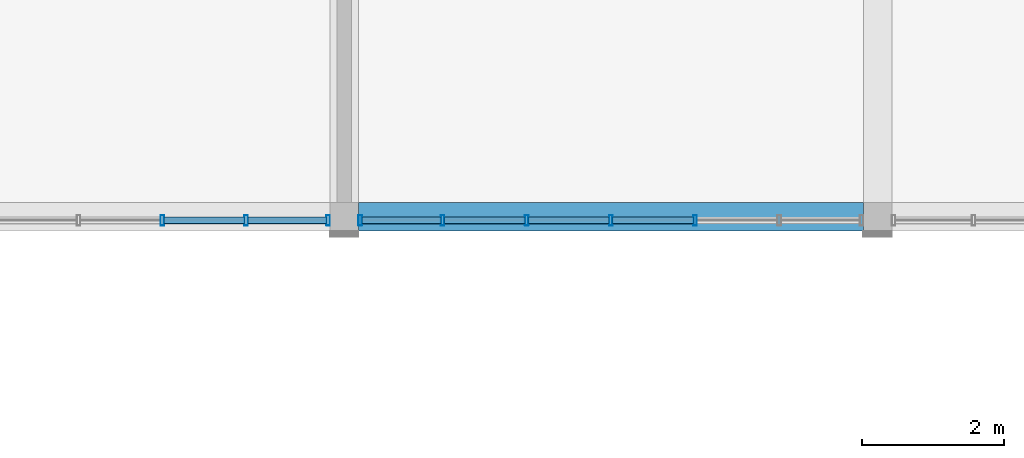
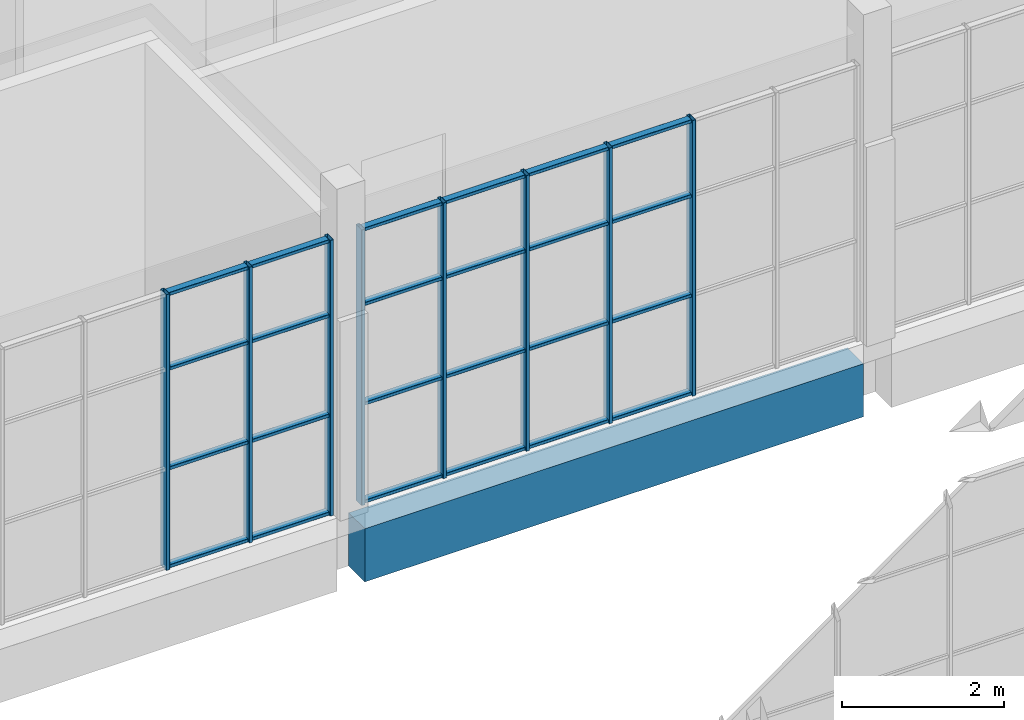
# One storey, part 22 of 125: 32 members, 1 beam, 2 elements without a shape of their own.
"""IFC4 building model written with IfcOpenShell, lengths in metres."""

from ifc_helpers import new_model, si_unit, direction, frame, origin, origin_2d, place, context, subcontext, project, spatial, rectangle, hollow_rectangle, extrude, material, material_profile, profile_set, type_object, element, aggregate, save


model = new_model("IFC4")

# Units and contexts
model_context = context("Model", 3, precision=1e-05, world=origin(), true_north=direction((0.0, 1.0)))
body_context = subcontext(model_context, "Body", "Model", "MODEL_VIEW")
ifc_project = project(units=[si_unit("LENGTHUNIT", "METRE"), si_unit("AREAUNIT", "SQUARE_METRE"), si_unit("VOLUMEUNIT", "CUBIC_METRE"), si_unit("PLANEANGLEUNIT", "RADIAN"), si_unit("MASSUNIT", "GRAM", prefix="KILO")], contexts=[model_context])

# Site, building, storey
site_placement = place(None, origin())
site = spatial("IfcSite", under=ifc_project, at=site_placement, CompositionType="ELEMENT")
building_placement = place(site_placement, origin())
building = spatial("IfcBuilding", under=site, at=building_placement, Name="Sun Court Science Centre", CompositionType="ELEMENT")
storey_placement = place(building_placement, frame((0.0, 0.0, 6.0)))
storey = spatial("IfcBuildingStorey", under=building, at=storey_placement, Name="L01", CompositionType="ELEMENT", Elevation=6.0)

# Curtain wall, members
ifc_material_1 = material(Name="Aluminium EN AW-6063 T6", Category="aluminium")
curtain_wall_type = type_object("IfcCurtainWallType", Name="Pavilion curtain wall 1200", PredefinedType="NOTDEFINED", material=ifc_material_1)
curtain_wall_1_placement = place(storey_placement, origin())
curtain_wall_1 = element("IfcCurtainWall", 1, at=curtain_wall_1_placement, inside=storey, type_object=curtain_wall_type, Name="Curtain wall V5 S L01 02", PredefinedType="NOTDEFINED")
ifc_material_2 = material(Name="Aluminium EN AW-6063 T6", Category="aluminium")
ifc_material_profile_1 = material_profile(ifc_material_2, hollow_rectangle(XDim=0.050048828125, YDim=0.14990234375, WallThickness=0.00390625, InnerFilletRadius=0.00390625, OuterFilletRadius=0.006103515625, at=origin_2d()), Name="AL 50x150x4")
ifc_profile_set_1 = profile_set([ifc_material_profile_1], Name="Aluminium EN AW-6063 T6")
member_type_1 = type_object("IfcMemberType", Name="Curtain wall mullion AL 50x150", PredefinedType="MULLION", material=ifc_profile_set_1)
member_1_placement = place(storey_placement, frame((51.22509765625, 36.14990234375, 0.0), z_axis=(0.0, 0.0, 1.0), x_axis=(-1.0, 0.0, 0.0)))
member_1 = element("IfcMember", 2, at=member_1_placement, type_object=member_type_1, Name="CW3-06 mullion 7", PredefinedType="MULLION", context=body_context, shape_type="SweptSolid", body=[
    extrude(hollow_rectangle(XDim=0.050048828125, YDim=0.14990234375, WallThickness=0.00390625, InnerFilletRadius=0.00390625, OuterFilletRadius=0.006103515625, at=origin_2d()), origin(), (0.0, 0.0, 1.0), 4.14990234375),
])
member_2_placement = place(storey_placement, frame((52.38330078125, 36.14990234375, 0.0), z_axis=(0.0, 0.0, 1.0), x_axis=(-1.0, 0.0, 0.0)))
member_2 = element("IfcMember", 3, at=member_2_placement, type_object=member_type_1, Name="CW3-06 mullion 6", PredefinedType="MULLION", context=body_context, shape_type="SweptSolid", body=[
    extrude(hollow_rectangle(XDim=0.050048828125, YDim=0.14990234375, WallThickness=0.00390625, InnerFilletRadius=0.00390625, OuterFilletRadius=0.006103515625, at=origin_2d()), origin(), (0.0, 0.0, 1.0), 4.14990234375),
])
member_3_placement = place(storey_placement, frame((53.566650390625, 36.14990234375, 0.0), z_axis=(0.0, 0.0, 1.0), x_axis=(-1.0, 0.0, 0.0)))
member_3 = element("IfcMember", 4, at=member_3_placement, type_object=member_type_1, Name="CW3-06 mullion 5", PredefinedType="MULLION", context=body_context, shape_type="SweptSolid", body=[
    extrude(hollow_rectangle(XDim=0.050048828125, YDim=0.14990234375, WallThickness=0.00390625, InnerFilletRadius=0.00390625, OuterFilletRadius=0.006103515625, at=origin_2d()), origin(), (0.0, 0.0, 1.0), 4.14990234375),
])
member_4_placement = place(storey_placement, frame((54.75, 36.14990234375, 0.0), z_axis=(0.0, 0.0, 1.0), x_axis=(-1.0, 0.0, 0.0)))
member_4 = element("IfcMember", 5, at=member_4_placement, type_object=member_type_1, Name="CW3-06 mullion 4", PredefinedType="MULLION", context=body_context, shape_type="SweptSolid", body=[
    extrude(hollow_rectangle(XDim=0.050048828125, YDim=0.14990234375, WallThickness=0.00390625, InnerFilletRadius=0.00390625, OuterFilletRadius=0.006103515625, at=origin_2d()), origin(), (0.0, 0.0, 1.0), 4.14990234375),
])
member_5_placement = place(storey_placement, frame((55.933349609375, 36.14990234375, 0.0), z_axis=(0.0, 0.0, 1.0), x_axis=(-1.0, 0.0, 0.0)))
member_5 = element("IfcMember", 6, at=member_5_placement, type_object=member_type_1, Name="CW3-06 mullion 3", PredefinedType="MULLION", context=body_context, shape_type="SweptSolid", body=[
    extrude(hollow_rectangle(XDim=0.050048828125, YDim=0.14990234375, WallThickness=0.00390625, InnerFilletRadius=0.00390625, OuterFilletRadius=0.006103515625, at=origin_2d()), origin(), (0.0, 0.0, 1.0), 4.14990234375),
])

curtain_wall_2_placement = place(storey_placement, origin())
curtain_wall_2 = element("IfcCurtainWall", 7, at=curtain_wall_2_placement, inside=storey, type_object=curtain_wall_type, Name="Curtain wall V5 S L01 03", PredefinedType="NOTDEFINED")
member_6_placement = place(storey_placement, frame((48.44287109375, 36.14990234375, 0.0), z_axis=(0.0, 0.0, 1.0), x_axis=(-1.0, 0.0, 0.0)))
member_6 = element("IfcMember", 8, at=member_6_placement, type_object=member_type_1, Name="CW3-07 mullion 3", PredefinedType="MULLION", context=body_context, shape_type="SweptSolid", body=[
    extrude(hollow_rectangle(XDim=0.050048828125, YDim=0.14990234375, WallThickness=0.00390625, InnerFilletRadius=0.00390625, OuterFilletRadius=0.006103515625, at=origin_2d()), origin(), (0.0, 0.0, 1.0), 4.14990234375),
])
member_7_placement = place(storey_placement, frame((49.621337890625, 36.14990234375, 0.0), z_axis=(0.0, 0.0, 1.0), x_axis=(-1.0, 0.0, 0.0)))
member_7 = element("IfcMember", 9, at=member_7_placement, type_object=member_type_1, Name="CW3-07 mullion 2", PredefinedType="MULLION", context=body_context, shape_type="SweptSolid", body=[
    extrude(hollow_rectangle(XDim=0.050048828125, YDim=0.14990234375, WallThickness=0.00390625, InnerFilletRadius=0.00390625, OuterFilletRadius=0.006103515625, at=origin_2d()), origin(), (0.0, 0.0, 1.0), 4.14990234375),
])
member_8_placement = place(storey_placement, frame((50.77490234375, 36.14990234375, 0.0), z_axis=(0.0, 0.0, 1.0), x_axis=(-1.0, 0.0, 0.0)))
member_8 = element("IfcMember", 10, at=member_8_placement, type_object=member_type_1, Name="CW3-07 mullion 1", PredefinedType="MULLION", context=body_context, shape_type="SweptSolid", body=[
    extrude(hollow_rectangle(XDim=0.050048828125, YDim=0.14990234375, WallThickness=0.00390625, InnerFilletRadius=0.00390625, OuterFilletRadius=0.006103515625, at=origin_2d()), origin(), (0.0, 0.0, 1.0), 4.14990234375),
])

# Member
ifc_material_3 = material(Name="Aluminium EN AW-6063 T6", Category="aluminium")
ifc_material_profile_2 = material_profile(ifc_material_3, hollow_rectangle(XDim=0.050048828125, YDim=0.10009765625, WallThickness=0.00390625, InnerFilletRadius=0.00390625, OuterFilletRadius=0.006103515625, at=origin_2d()), Name="AL 50x100x4")
ifc_profile_set_2 = profile_set([ifc_material_profile_2], Name="Aluminium EN AW-6063 T6")
member_type_2 = type_object("IfcMemberType", Name="Curtain wall transom AL 50x100", PredefinedType="USERDEFINED", material=ifc_profile_set_2)
member_9_placement = place(storey_placement, frame((52.3583984375, 36.14990234375, 0.02490234375), z_axis=(-1.0, 0.0, 0.0), x_axis=(0.0, 0.0, 1.0)))
member_9 = element("IfcMember", 11, at=member_9_placement, type_object=member_type_2, Name="CW3-06 transom 6.1", ObjectType="TRANSOM", PredefinedType="USERDEFINED", context=body_context, shape_type="SweptSolid", body=[
    extrude(hollow_rectangle(XDim=0.050048828125, YDim=0.10009765625, WallThickness=0.00390625, InnerFilletRadius=0.00390625, OuterFilletRadius=0.006103515625, at=origin_2d()), origin(), (0.0, 0.0, 1.0), 1.1083984375),
])

member_10_placement = place(storey_placement, frame((53.541748046875, 36.14990234375, 0.02490234375), z_axis=(-1.0, 0.0, 0.0), x_axis=(0.0, 0.0, 1.0)))
member_10 = element("IfcMember", 12, at=member_10_placement, type_object=member_type_2, Name="CW3-06 transom 5.1", ObjectType="TRANSOM", PredefinedType="USERDEFINED", context=body_context, shape_type="SweptSolid", body=[
    extrude(hollow_rectangle(XDim=0.050048828125, YDim=0.10009765625, WallThickness=0.00390625, InnerFilletRadius=0.00390625, OuterFilletRadius=0.006103515625, at=origin_2d()), origin(), (0.0, 0.0, 1.0), 1.13330078125),
])

member_11_placement = place(storey_placement, frame((54.72509765625, 36.14990234375, 0.02490234375), z_axis=(-1.0, 0.0, 0.0), x_axis=(0.0, 0.0, 1.0)))
member_11 = element("IfcMember", 13, at=member_11_placement, type_object=member_type_2, Name="CW3-06 transom 4.1", ObjectType="TRANSOM", PredefinedType="USERDEFINED", context=body_context, shape_type="SweptSolid", body=[
    extrude(hollow_rectangle(XDim=0.050048828125, YDim=0.10009765625, WallThickness=0.00390625, InnerFilletRadius=0.00390625, OuterFilletRadius=0.006103515625, at=origin_2d()), origin(), (0.0, 0.0, 1.0), 1.133544921875),
])

member_12_placement = place(storey_placement, frame((55.908447265625, 36.14990234375, 0.02490234375), z_axis=(-1.0, 0.0, 0.0), x_axis=(0.0, 0.0, 1.0)))
member_12 = element("IfcMember", 14, at=member_12_placement, type_object=member_type_2, Name="CW3-06 transom 3.1", ObjectType="TRANSOM", PredefinedType="USERDEFINED", context=body_context, shape_type="SweptSolid", body=[
    extrude(hollow_rectangle(XDim=0.050048828125, YDim=0.10009765625, WallThickness=0.00390625, InnerFilletRadius=0.00390625, OuterFilletRadius=0.006103515625, at=origin_2d()), origin(), (0.0, 0.0, 1.0), 1.133544921875),
])

member_13_placement = place(storey_placement, frame((52.3583984375, 36.14990234375, 1.5), z_axis=(-1.0, 0.0, 0.0), x_axis=(0.0, 0.0, 1.0)))
member_13 = element("IfcMember", 15, at=member_13_placement, type_object=member_type_2, Name="CW3-06 transom 6.2", ObjectType="TRANSOM", PredefinedType="USERDEFINED", context=body_context, shape_type="SweptSolid", body=[
    extrude(hollow_rectangle(XDim=0.050048828125, YDim=0.10009765625, WallThickness=0.00390625, InnerFilletRadius=0.00390625, OuterFilletRadius=0.006103515625, at=origin_2d()), origin(), (0.0, 0.0, 1.0), 1.1083984375),
])

member_14_placement = place(storey_placement, frame((53.541748046875, 36.14990234375, 1.5), z_axis=(-1.0, 0.0, 0.0), x_axis=(0.0, 0.0, 1.0)))
member_14 = element("IfcMember", 16, at=member_14_placement, type_object=member_type_2, Name="CW3-06 transom 5.2", ObjectType="TRANSOM", PredefinedType="USERDEFINED", context=body_context, shape_type="SweptSolid", body=[
    extrude(hollow_rectangle(XDim=0.050048828125, YDim=0.10009765625, WallThickness=0.00390625, InnerFilletRadius=0.00390625, OuterFilletRadius=0.006103515625, at=origin_2d()), origin(), (0.0, 0.0, 1.0), 1.13330078125),
])

member_15_placement = place(storey_placement, frame((54.72509765625, 36.14990234375, 1.5), z_axis=(-1.0, 0.0, 0.0), x_axis=(0.0, 0.0, 1.0)))
member_15 = element("IfcMember", 17, at=member_15_placement, type_object=member_type_2, Name="CW3-06 transom 4.2", ObjectType="TRANSOM", PredefinedType="USERDEFINED", context=body_context, shape_type="SweptSolid", body=[
    extrude(hollow_rectangle(XDim=0.050048828125, YDim=0.10009765625, WallThickness=0.00390625, InnerFilletRadius=0.00390625, OuterFilletRadius=0.006103515625, at=origin_2d()), origin(), (0.0, 0.0, 1.0), 1.133544921875),
])

member_16_placement = place(storey_placement, frame((55.908447265625, 36.14990234375, 1.5), z_axis=(-1.0, 0.0, 0.0), x_axis=(0.0, 0.0, 1.0)))
member_16 = element("IfcMember", 18, at=member_16_placement, type_object=member_type_2, Name="CW3-06 transom 3.2", ObjectType="TRANSOM", PredefinedType="USERDEFINED", context=body_context, shape_type="SweptSolid", body=[
    extrude(hollow_rectangle(XDim=0.050048828125, YDim=0.10009765625, WallThickness=0.00390625, InnerFilletRadius=0.00390625, OuterFilletRadius=0.006103515625, at=origin_2d()), origin(), (0.0, 0.0, 1.0), 1.133544921875),
])

member_17_placement = place(storey_placement, frame((52.3583984375, 36.14990234375, 3.0), z_axis=(-1.0, 0.0, 0.0), x_axis=(0.0, 0.0, 1.0)))
member_17 = element("IfcMember", 19, at=member_17_placement, type_object=member_type_2, Name="CW3-06 transom 6.3", ObjectType="TRANSOM", PredefinedType="USERDEFINED", context=body_context, shape_type="SweptSolid", body=[
    extrude(hollow_rectangle(XDim=0.050048828125, YDim=0.10009765625, WallThickness=0.00390625, InnerFilletRadius=0.00390625, OuterFilletRadius=0.006103515625, at=origin_2d()), origin(), (0.0, 0.0, 1.0), 1.1083984375),
])

member_18_placement = place(storey_placement, frame((53.541748046875, 36.14990234375, 3.0), z_axis=(-1.0, 0.0, 0.0), x_axis=(0.0, 0.0, 1.0)))
member_18 = element("IfcMember", 20, at=member_18_placement, type_object=member_type_2, Name="CW3-06 transom 5.3", ObjectType="TRANSOM", PredefinedType="USERDEFINED", context=body_context, shape_type="SweptSolid", body=[
    extrude(hollow_rectangle(XDim=0.050048828125, YDim=0.10009765625, WallThickness=0.00390625, InnerFilletRadius=0.00390625, OuterFilletRadius=0.006103515625, at=origin_2d()), origin(), (0.0, 0.0, 1.0), 1.13330078125),
])

member_19_placement = place(storey_placement, frame((54.72509765625, 36.14990234375, 3.0), z_axis=(-1.0, 0.0, 0.0), x_axis=(0.0, 0.0, 1.0)))
member_19 = element("IfcMember", 21, at=member_19_placement, type_object=member_type_2, Name="CW3-06 transom 4.3", ObjectType="TRANSOM", PredefinedType="USERDEFINED", context=body_context, shape_type="SweptSolid", body=[
    extrude(hollow_rectangle(XDim=0.050048828125, YDim=0.10009765625, WallThickness=0.00390625, InnerFilletRadius=0.00390625, OuterFilletRadius=0.006103515625, at=origin_2d()), origin(), (0.0, 0.0, 1.0), 1.133544921875),
])

member_20_placement = place(storey_placement, frame((55.908447265625, 36.14990234375, 3.0), z_axis=(-1.0, 0.0, 0.0), x_axis=(0.0, 0.0, 1.0)))
member_20 = element("IfcMember", 22, at=member_20_placement, type_object=member_type_2, Name="CW3-06 transom 3.3", ObjectType="TRANSOM", PredefinedType="USERDEFINED", context=body_context, shape_type="SweptSolid", body=[
    extrude(hollow_rectangle(XDim=0.050048828125, YDim=0.10009765625, WallThickness=0.00390625, InnerFilletRadius=0.00390625, OuterFilletRadius=0.006103515625, at=origin_2d()), origin(), (0.0, 0.0, 1.0), 1.133544921875),
])

member_21_placement = place(storey_placement, frame((52.3583984375, 36.14990234375, 4.125), z_axis=(-1.0, 0.0, 0.0), x_axis=(0.0, 0.0, 1.0)))
member_21 = element("IfcMember", 23, at=member_21_placement, type_object=member_type_2, Name="CW3-06 transom 6.4", ObjectType="TRANSOM", PredefinedType="USERDEFINED", context=body_context, shape_type="SweptSolid", body=[
    extrude(hollow_rectangle(XDim=0.050048828125, YDim=0.10009765625, WallThickness=0.00390625, InnerFilletRadius=0.00390625, OuterFilletRadius=0.006103515625, at=origin_2d()), origin(), (0.0, 0.0, 1.0), 1.1083984375),
])

member_22_placement = place(storey_placement, frame((53.541748046875, 36.14990234375, 4.125), z_axis=(-1.0, 0.0, 0.0), x_axis=(0.0, 0.0, 1.0)))
member_22 = element("IfcMember", 24, at=member_22_placement, type_object=member_type_2, Name="CW3-06 transom 5.4", ObjectType="TRANSOM", PredefinedType="USERDEFINED", context=body_context, shape_type="SweptSolid", body=[
    extrude(hollow_rectangle(XDim=0.050048828125, YDim=0.10009765625, WallThickness=0.00390625, InnerFilletRadius=0.00390625, OuterFilletRadius=0.006103515625, at=origin_2d()), origin(), (0.0, 0.0, 1.0), 1.13330078125),
])

member_23_placement = place(storey_placement, frame((54.72509765625, 36.14990234375, 4.125), z_axis=(-1.0, 0.0, 0.0), x_axis=(0.0, 0.0, 1.0)))
member_23 = element("IfcMember", 25, at=member_23_placement, type_object=member_type_2, Name="CW3-06 transom 4.4", ObjectType="TRANSOM", PredefinedType="USERDEFINED", context=body_context, shape_type="SweptSolid", body=[
    extrude(hollow_rectangle(XDim=0.050048828125, YDim=0.10009765625, WallThickness=0.00390625, InnerFilletRadius=0.00390625, OuterFilletRadius=0.006103515625, at=origin_2d()), origin(), (0.0, 0.0, 1.0), 1.133544921875),
])

member_24_placement = place(storey_placement, frame((55.908447265625, 36.14990234375, 4.125), z_axis=(-1.0, 0.0, 0.0), x_axis=(0.0, 0.0, 1.0)))
member_24 = element("IfcMember", 26, at=member_24_placement, type_object=member_type_2, Name="CW3-06 transom 3.4", ObjectType="TRANSOM", PredefinedType="USERDEFINED", context=body_context, shape_type="SweptSolid", body=[
    extrude(hollow_rectangle(XDim=0.050048828125, YDim=0.10009765625, WallThickness=0.00390625, InnerFilletRadius=0.00390625, OuterFilletRadius=0.006103515625, at=origin_2d()), origin(), (0.0, 0.0, 1.0), 1.133544921875),
])

aggregate(curtain_wall_1, [member_1, member_2, member_3, member_4, member_5, member_9, member_10, member_11, member_12, member_13, member_14, member_15, member_16, member_17, member_18, member_19, member_20, member_21, member_22, member_23, member_24])

member_25_placement = place(storey_placement, frame((49.596435546875, 36.14990234375, 0.02490234375), z_axis=(-1.0, 0.0, 0.0), x_axis=(0.0, 0.0, 1.0)))
member_25 = element("IfcMember", 27, at=member_25_placement, type_object=member_type_2, Name="CW3-07 transom 2.1", ObjectType="TRANSOM", PredefinedType="USERDEFINED", context=body_context, shape_type="SweptSolid", body=[
    extrude(hollow_rectangle(XDim=0.050048828125, YDim=0.10009765625, WallThickness=0.00390625, InnerFilletRadius=0.00390625, OuterFilletRadius=0.006103515625, at=origin_2d()), origin(), (0.0, 0.0, 1.0), 1.128662109375),
])

member_26_placement = place(storey_placement, frame((50.75, 36.14990234375, 0.02490234375), z_axis=(-1.0, 0.0, 0.0), x_axis=(0.0, 0.0, 1.0)))
member_26 = element("IfcMember", 28, at=member_26_placement, type_object=member_type_2, Name="CW3-07 transom 1.1", ObjectType="TRANSOM", PredefinedType="USERDEFINED", context=body_context, shape_type="SweptSolid", body=[
    extrude(hollow_rectangle(XDim=0.050048828125, YDim=0.10009765625, WallThickness=0.00390625, InnerFilletRadius=0.00390625, OuterFilletRadius=0.006103515625, at=origin_2d()), origin(), (0.0, 0.0, 1.0), 1.103515625),
])

member_27_placement = place(storey_placement, frame((49.596435546875, 36.14990234375, 1.5), z_axis=(-1.0, 0.0, 0.0), x_axis=(0.0, 0.0, 1.0)))
member_27 = element("IfcMember", 29, at=member_27_placement, type_object=member_type_2, Name="CW3-07 transom 2.2", ObjectType="TRANSOM", PredefinedType="USERDEFINED", context=body_context, shape_type="SweptSolid", body=[
    extrude(hollow_rectangle(XDim=0.050048828125, YDim=0.10009765625, WallThickness=0.00390625, InnerFilletRadius=0.00390625, OuterFilletRadius=0.006103515625, at=origin_2d()), origin(), (0.0, 0.0, 1.0), 1.128662109375),
])

member_28_placement = place(storey_placement, frame((50.75, 36.14990234375, 1.5), z_axis=(-1.0, 0.0, 0.0), x_axis=(0.0, 0.0, 1.0)))
member_28 = element("IfcMember", 30, at=member_28_placement, type_object=member_type_2, Name="CW3-07 transom 1.2", ObjectType="TRANSOM", PredefinedType="USERDEFINED", context=body_context, shape_type="SweptSolid", body=[
    extrude(hollow_rectangle(XDim=0.050048828125, YDim=0.10009765625, WallThickness=0.00390625, InnerFilletRadius=0.00390625, OuterFilletRadius=0.006103515625, at=origin_2d()), origin(), (0.0, 0.0, 1.0), 1.103515625),
])

member_29_placement = place(storey_placement, frame((49.596435546875, 36.14990234375, 3.0), z_axis=(-1.0, 0.0, 0.0), x_axis=(0.0, 0.0, 1.0)))
member_29 = element("IfcMember", 31, at=member_29_placement, type_object=member_type_2, Name="CW3-07 transom 2.3", ObjectType="TRANSOM", PredefinedType="USERDEFINED", context=body_context, shape_type="SweptSolid", body=[
    extrude(hollow_rectangle(XDim=0.050048828125, YDim=0.10009765625, WallThickness=0.00390625, InnerFilletRadius=0.00390625, OuterFilletRadius=0.006103515625, at=origin_2d()), origin(), (0.0, 0.0, 1.0), 1.128662109375),
])

member_30_placement = place(storey_placement, frame((50.75, 36.14990234375, 3.0), z_axis=(-1.0, 0.0, 0.0), x_axis=(0.0, 0.0, 1.0)))
member_30 = element("IfcMember", 32, at=member_30_placement, type_object=member_type_2, Name="CW3-07 transom 1.3", ObjectType="TRANSOM", PredefinedType="USERDEFINED", context=body_context, shape_type="SweptSolid", body=[
    extrude(hollow_rectangle(XDim=0.050048828125, YDim=0.10009765625, WallThickness=0.00390625, InnerFilletRadius=0.00390625, OuterFilletRadius=0.006103515625, at=origin_2d()), origin(), (0.0, 0.0, 1.0), 1.103515625),
])

member_31_placement = place(storey_placement, frame((49.596435546875, 36.14990234375, 4.125), z_axis=(-1.0, 0.0, 0.0), x_axis=(0.0, 0.0, 1.0)))
member_31 = element("IfcMember", 33, at=member_31_placement, type_object=member_type_2, Name="CW3-07 transom 2.4", ObjectType="TRANSOM", PredefinedType="USERDEFINED", context=body_context, shape_type="SweptSolid", body=[
    extrude(hollow_rectangle(XDim=0.050048828125, YDim=0.10009765625, WallThickness=0.00390625, InnerFilletRadius=0.00390625, OuterFilletRadius=0.006103515625, at=origin_2d()), origin(), (0.0, 0.0, 1.0), 1.128662109375),
])

member_32_placement = place(storey_placement, frame((50.75, 36.14990234375, 4.125), z_axis=(-1.0, 0.0, 0.0), x_axis=(0.0, 0.0, 1.0)))
member_32 = element("IfcMember", 34, at=member_32_placement, type_object=member_type_2, Name="CW3-07 transom 1.4", ObjectType="TRANSOM", PredefinedType="USERDEFINED", context=body_context, shape_type="SweptSolid", body=[
    extrude(hollow_rectangle(XDim=0.050048828125, YDim=0.10009765625, WallThickness=0.00390625, InnerFilletRadius=0.00390625, OuterFilletRadius=0.006103515625, at=origin_2d()), origin(), (0.0, 0.0, 1.0), 1.103515625),
])

aggregate(curtain_wall_2, [member_6, member_7, member_8, member_25, member_26, member_27, member_28, member_29, member_30, member_31, member_32])

# Beam
ifc_material_4 = material(Name="Concrete C25/30", Category="concrete")
ifc_material_profile_3 = material_profile(ifc_material_4, rectangle(XDim=0.39990234375, YDim=0.800048828125, at=origin_2d()), Name="RC 400x800")
ifc_profile_set_3 = profile_set([ifc_material_profile_3], Name="Concrete C25/30")
beam_type = type_object("IfcBeamType", Name="RC girder 400x800", PredefinedType="BEAM", material=ifc_profile_set_3)
beam_placement = place(storey_placement, frame((51.199951171875, 36.199951171875, -0.699951171875), z_axis=(1.0, 0.0, 0.0), x_axis=(0.0, 1.0, 0.0)))
element("IfcBeam", 35, at=beam_placement, inside=storey, type_object=beam_type, Name="Girder L01 row 1", PredefinedType="BEAM", context=body_context, shape_type="SweptSolid", body=[
    extrude(rectangle(XDim=0.39990234375, YDim=0.800048828125, at=origin_2d()), origin(), (0.0, 0.0, 1.0), 7.10009765625),
])

save(model, "model.ifc")
